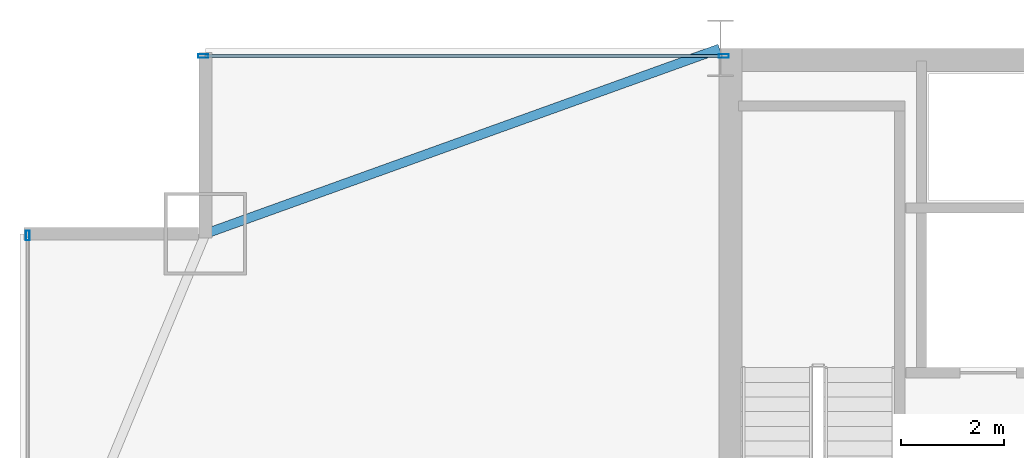
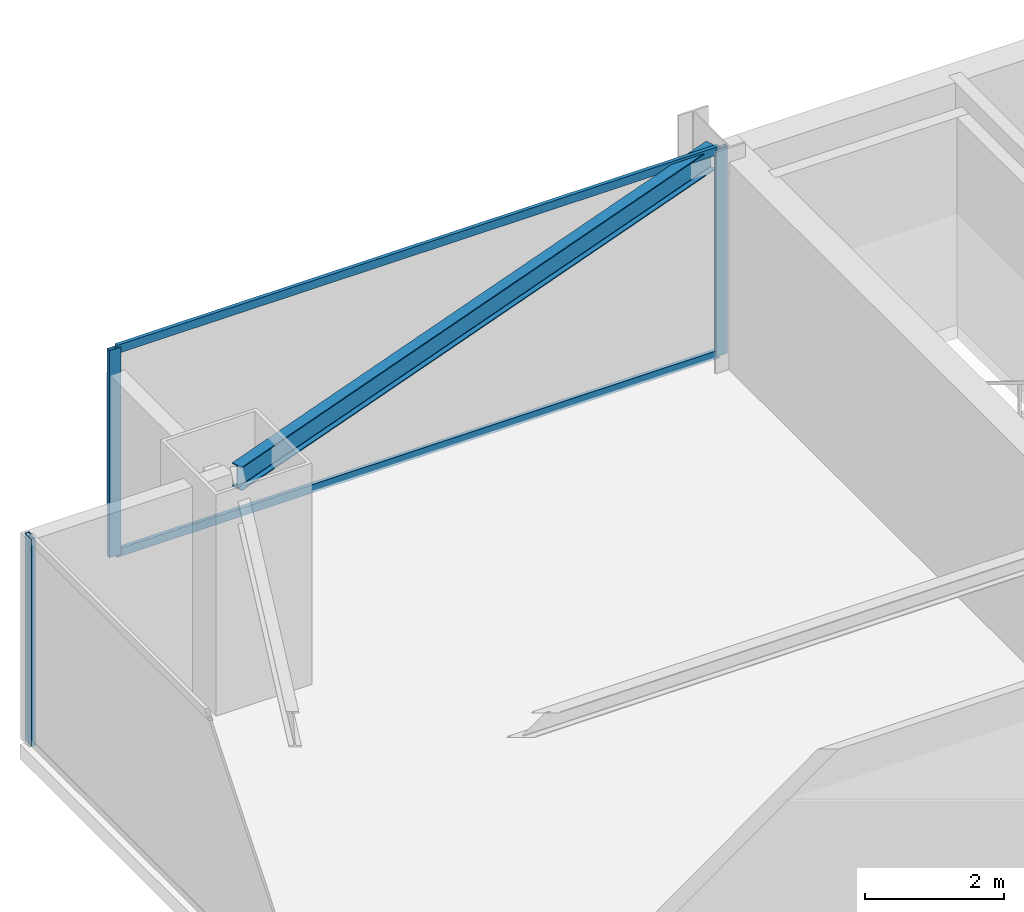
# One storey, part 20 of 31: 5 members, 1 beam, 2 elements without a shape of their own.
"""IFC4 building model written with IfcOpenShell, lengths in metres."""

from ifc_helpers import new_model, si_unit, direction, frame, origin, origin_2d, place, context, subcontext, project, spatial, hollow_rectangle, i_section, extrude, source, transform, mapped, material, layer, layer_set, material_profile, profile_set, type_object, type_shapes, element, aggregate, save


model = new_model("IFC4")

# Units and contexts
model_context = context("Model", 3, precision=1e-05, world=origin(), true_north=direction((0.0, 1.0)))
body_context = subcontext(model_context, "Body", "Model", "MODEL_VIEW")
ifc_project = project(units=[si_unit("LENGTHUNIT", "METRE"), si_unit("AREAUNIT", "SQUARE_METRE"), si_unit("VOLUMEUNIT", "CUBIC_METRE"), si_unit("PLANEANGLEUNIT", "RADIAN"), si_unit("MASSUNIT", "GRAM", prefix="KILO")], contexts=[model_context])

# Site, building, storey
site_placement = place(None, origin())
site = spatial("IfcSite", under=ifc_project, at=site_placement, CompositionType="ELEMENT")
building_placement = place(site_placement, origin())
building = spatial("IfcBuilding", under=site, at=building_placement, Name="Varnel Quay Broadcast Tower", CompositionType="ELEMENT")
storey_placement = place(building_placement, frame((0.0, 0.0, 35.39990234375)))
storey = spatial("IfcBuildingStorey", under=building, at=storey_placement, Name="L07", CompositionType="ELEMENT", Elevation=35.39990234375)

# Beam
ifc_material_1 = material(Name="Structural Steel CSA G40.21 350W", Category="steel")
ifc_material_profile_1 = material_profile(ifc_material_1, i_section(OverallWidth=0.180908203125, OverallDepth=0.4169921875, WebThickness=0.010986328125, FlangeThickness=0.018310546875, FilletRadius=0.011962890625, at=origin_2d()), Name="W410X85")
ifc_profile_set_1 = profile_set([ifc_material_profile_1], Name="Structural Steel CSA G40.21 350W")
beam_type = type_object("IfcBeamType", Name="Beam_W410X85", PredefinedType="SPANDREL", material=ifc_profile_set_1)
shared_shape_1 = source(origin(), body_context, "Body", "SweptSolid", [
    extrude(i_section(OverallWidth=0.180908203125, OverallDepth=0.4169921875, WebThickness=0.010986328125, FlangeThickness=0.018310546875, FilletRadius=0.011962890625, at=origin_2d()), origin(), (0.0, 0.0, 1.0), 10.58837890625),
])
type_shapes(beam_type, [shared_shape_1])
beam_placement = place(storey_placement, frame((5.618896484375, 43.206787109375, 3.441650390625), z_axis=(0.940888587605, 0.338716202321, 0.0), x_axis=(-0.338716202321, 0.940888587605, 0.0)))
element("IfcBeam", 1, at=beam_placement, inside=storey, type_object=beam_type, Name="L07 NW Tie Spandrel", PredefinedType="SPANDREL", context=body_context, shape_type="MappedRepresentation", body=[
    mapped(shared_shape_1, transform((0.0, 0.0, 0.0), x_axis=(1.0, 0.0, 0.0), y_axis=(0.0, 1.0, 0.0), z_axis=(0.0, 0.0, 1.0), scale=1.0)),
])

# Curtain wall, members
ifc_material_2 = material(Name="Anodised Bronze Aluminium 6063-T6", Category="aluminium")
ifc_layer = layer(ifc_material_2, 0.18994140625, Name="Anodised Bronze Aluminium 6063-T6")
ifc_layer_set = layer_set([ifc_layer], Name="Anodised Bronze Aluminium 6063-T6")
curtain_wall_type = type_object("IfcCurtainWallType", Name="CW_LowerTower", PredefinedType="NOTDEFINED", material=ifc_layer_set)
curtain_wall_1_placement = place(storey_placement, origin())
curtain_wall_1 = element("IfcCurtainWall", 2, at=curtain_wall_1_placement, inside=storey, type_object=curtain_wall_type, Name="L07 NW Wing Curtain Wall", PredefinedType="NOTDEFINED")
ifc_material_profile_2 = material_profile(ifc_material_2, hollow_rectangle(XDim=0.06005859375, YDim=0.14501953125, WallThickness=0.00341796875, at=origin_2d()), Name="ALU60X145X3.5")
ifc_profile_set_2 = profile_set([ifc_material_profile_2], Name="Anodised Bronze Aluminium 6063-T6")
member_type_1 = type_object("IfcMemberType", Name="Tran_CWS-02", PredefinedType="USERDEFINED", material=ifc_profile_set_2)
shared_shape_2 = source(origin(), body_context, "Body", "SweptSolid", [
    extrude(hollow_rectangle(XDim=0.06005859375, YDim=0.14501953125, WallThickness=0.00341796875, at=origin_2d()), origin(), (0.0, 0.0, 1.0), 10.039794921875),
])
type_shapes(member_type_1, [shared_shape_2])
member_1_placement = place(storey_placement, frame((5.590087890625, 46.64990234375, 0.030029296875), z_axis=(1.0, 0.0, 0.0), x_axis=(0.0, 1.0, 0.0)))
member_1 = element("IfcMember", 3, at=member_1_placement, type_object=member_type_1, Name="CWS-02 transom 1.1", ObjectType="TRANSOM", PredefinedType="USERDEFINED", context=body_context, shape_type="MappedRepresentation", body=[
    mapped(shared_shape_2, transform((0.0, 0.0, 0.0), x_axis=(1.0, 0.0, 0.0), y_axis=(0.0, 1.0, 0.0), z_axis=(0.0, 0.0, 1.0), scale=1.0)),
])
member_2_placement = place(storey_placement, frame((5.590087890625, 46.64990234375, 3.6201171875), z_axis=(1.0, 0.0, 0.0), x_axis=(0.0, 1.0, 0.0)))
member_2 = element("IfcMember", 4, at=member_2_placement, type_object=member_type_1, Name="CWS-02 transom 1.2", ObjectType="TRANSOM", PredefinedType="USERDEFINED", context=body_context, shape_type="MappedRepresentation", body=[
    mapped(shared_shape_2, transform((0.0, 0.0, 0.0), x_axis=(1.0, 0.0, 0.0), y_axis=(0.0, 1.0, 0.0), z_axis=(0.0, 0.0, 1.0), scale=1.0)),
])

# Curtain wall, member
curtain_wall_2_placement = place(storey_placement, origin())
curtain_wall_2 = element("IfcCurtainWall", 5, at=curtain_wall_2_placement, inside=storey, type_object=curtain_wall_type, Name="L07 West Unitised Curtain Wall", PredefinedType="NOTDEFINED")
ifc_material_profile_3 = material_profile(ifc_material_2, hollow_rectangle(XDim=0.070068359375, YDim=0.18994140625, WallThickness=0.00390625, at=origin_2d()), Name="ALU70X190X4")
ifc_profile_set_3 = profile_set([ifc_material_profile_3], Name="Anodised Bronze Aluminium 6063-T6")
member_type_2 = type_object("IfcMemberType", Name="Mull_CWS-02", PredefinedType="MULLION", material=ifc_profile_set_3)
shared_shape_3 = source(origin(), body_context, "Body", "SweptSolid", [
    extrude(hollow_rectangle(XDim=0.070068359375, YDim=0.18994140625, WallThickness=0.00390625, at=origin_2d()), origin(), (0.0, 0.0, 1.0), 3.650146484375),
])
type_shapes(member_type_2, [shared_shape_3])
member_3_placement = place(storey_placement, frame((2.14990234375, 43.1650390625, 0.0), z_axis=(0.0, 0.0, 1.0), x_axis=(-1.0, 0.0, 0.0)))
member_3 = element("IfcMember", 6, at=member_3_placement, type_object=member_type_2, Name="CWS-02 mullion 4", PredefinedType="MULLION", context=body_context, shape_type="MappedRepresentation", body=[
    mapped(shared_shape_3, transform((0.0, 0.0, 0.0), x_axis=(1.0, 0.0, 0.0), y_axis=(0.0, 1.0, 0.0), z_axis=(0.0, 0.0, 1.0), scale=1.0)),
])
aggregate(curtain_wall_2, [member_3])

# Member
member_4_placement = place(storey_placement, frame((5.554931640625, 46.64990234375, 0.0), z_axis=(0.0, 0.0, 1.0), x_axis=(0.0, 1.0, 0.0)))
member_4 = element("IfcMember", 7, at=member_4_placement, type_object=member_type_2, Name="CWS-02 mullion 1", PredefinedType="MULLION", context=body_context, shape_type="MappedRepresentation", body=[
    mapped(shared_shape_3, transform((0.0, 0.0, 0.0), x_axis=(1.0, 0.0, 0.0), y_axis=(0.0, 1.0, 0.0), z_axis=(0.0, 0.0, 1.0), scale=1.0)),
])

member_5_placement = place(storey_placement, frame((15.6650390625, 46.64990234375, 0.0), z_axis=(0.0, 0.0, 1.0), x_axis=(0.0, 1.0, 0.0)))
member_5 = element("IfcMember", 8, at=member_5_placement, type_object=member_type_2, Name="CWS-02 mullion 2", PredefinedType="MULLION", context=body_context, shape_type="MappedRepresentation", body=[
    mapped(shared_shape_3, transform((0.0, 0.0, 0.0), x_axis=(1.0, 0.0, 0.0), y_axis=(0.0, 1.0, 0.0), z_axis=(0.0, 0.0, 1.0), scale=1.0)),
])

aggregate(curtain_wall_1, [member_4, member_5, member_1, member_2])

save(model, "model.ifc")
